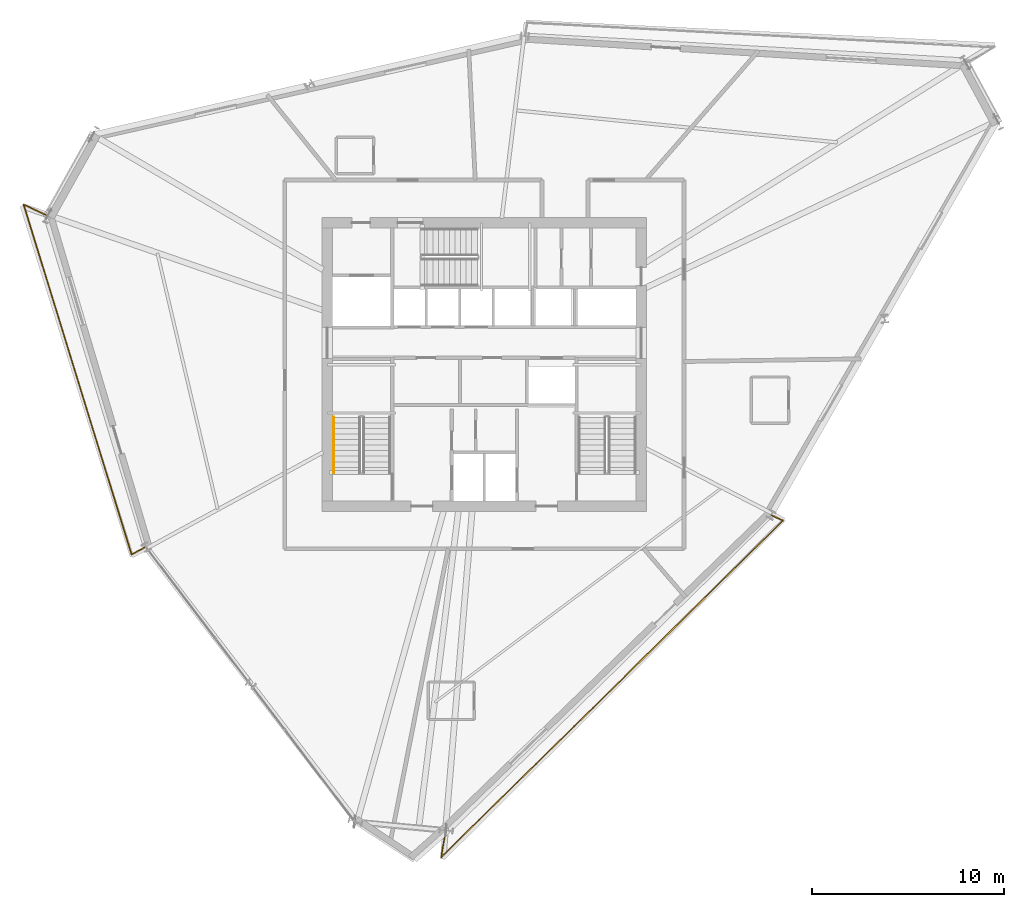
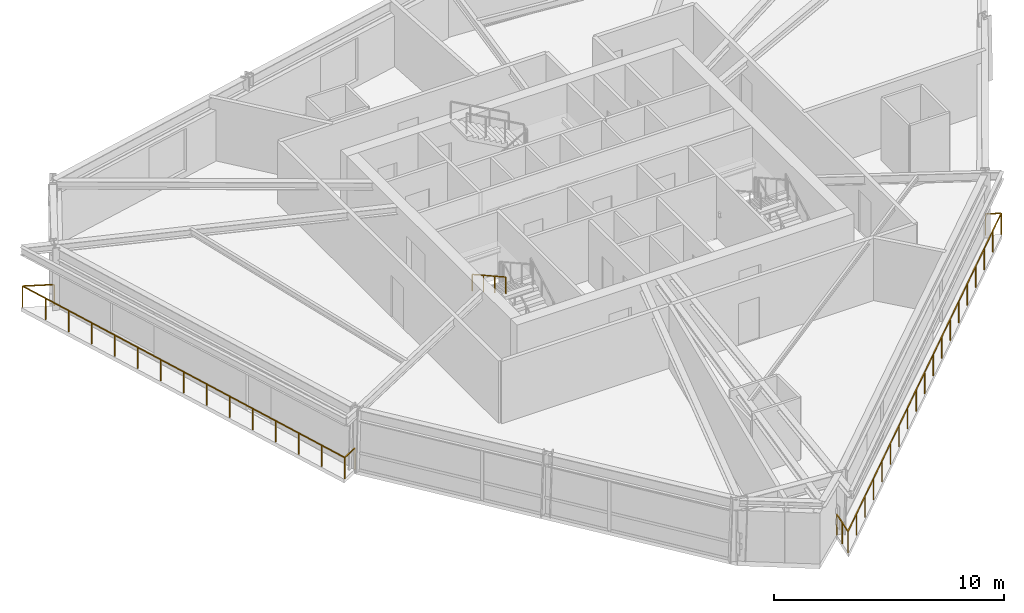
# One storey, part 12 of 14: 3 railings.
"""IFC4 building model written with IfcOpenShell, lengths in metres."""

from ifc_helpers import new_model, si_unit, direction, frame, origin, origin_2d, place, context, subcontext, project, spatial, rectangle, extrude, material, type_object, element, save


model = new_model("IFC4")

# Units and contexts
model_context = context("Model", 3, precision=1e-05, world=origin(), true_north=direction((0.0, 1.0)))
body_context = subcontext(model_context, "Body", "Model", "MODEL_VIEW")
ifc_project = project(units=[si_unit("LENGTHUNIT", "METRE"), si_unit("AREAUNIT", "SQUARE_METRE"), si_unit("VOLUMEUNIT", "CUBIC_METRE"), si_unit("PLANEANGLEUNIT", "RADIAN"), si_unit("MASSUNIT", "GRAM", prefix="KILO")], contexts=[model_context])

# Site, building, storey
site_placement = place(None, origin())
site = spatial("IfcSite", under=ifc_project, at=site_placement, CompositionType="ELEMENT")
building_placement = place(site_placement, origin())
building = spatial("IfcBuilding", under=site, at=building_placement, Name="Olszyna Solenne Hotel", CompositionType="ELEMENT")
storey_placement = place(building_placement, frame((0.0, 0.0, 153.699951171875)))
storey = spatial("IfcBuildingStorey", under=building, at=storey_placement, Name="L40", CompositionType="ELEMENT", Elevation=153.699951171875)

# Railings
ifc_material_1 = material(Name="Anodised bronze aluminium", Category="aluminium")
railing_type_1 = type_object("IfcRailingType", Name="GR-110", PredefinedType="BALUSTRADE", material=ifc_material_1)
railing_1_placement = place(storey_placement, frame((15.24853515625, 34.34521484375, 0.0)))
element("IfcRailing", 1, at=railing_1_placement, inside=storey, type_object=railing_type_1, Name="Loggia balcony balustrade guard GR-L40-LG2", PredefinedType="BALUSTRADE", context=body_context, shape_type="SweptSolid", body=[
    extrude(rectangle(XDim=0.048095703125, YDim=0.048095703125, at=origin_2d()), frame((0.0, 0.0, 1.1259765625), z_axis=(-0.904187883237, 0.427134957371, 0.0), x_axis=(-0.427134957371, -0.904187883237, 0.0)), (0.0, 0.0, 1.0), 1.379150390625),
    extrude(rectangle(XDim=0.048095703125, YDim=0.048095703125, at=origin_2d()), frame((-1.2470703125, 0.589111328125, 1.1259765625), z_axis=(0.294639643259, -0.955608434779, 0.0), x_axis=(0.955608434779, 0.294639643259, 0.0)), (0.0, 0.0, 1.0), 19.0810546875),
    extrude(rectangle(XDim=0.048095703125, YDim=0.048095703125, at=origin_2d()), frame((4.375, -17.64501953125, 1.1259765625), z_axis=(0.87823726809, 0.478225157156, 0.0), x_axis=(-0.478225157156, 0.87823726809, 0.0)), (0.0, 0.0, 1.0), 0.845947265625),
    extrude(rectangle(XDim=0.0419921875, YDim=0.0419921875, at=origin_2d()), origin(), (0.0, 0.0, 1.0), 1.101806640625),
    extrude(rectangle(XDim=0.0419921875, YDim=0.0419921875, at=origin_2d()), frame((-1.2470703125, 0.589111328125, 0.0)), (0.0, 0.0, 1.0), 1.101806640625),
    extrude(rectangle(XDim=0.0419921875, YDim=0.0419921875, at=origin_2d()), frame((-0.845458984375, -0.71337890625, 0.0)), (0.0, 0.0, 1.0), 1.101806640625),
    extrude(rectangle(XDim=0.0419921875, YDim=0.0419921875, at=origin_2d()), frame((-0.44384765625, -2.015869140625, 0.0)), (0.0, 0.0, 1.0), 1.101806640625),
    extrude(rectangle(XDim=0.0419921875, YDim=0.0419921875, at=origin_2d()), frame((-0.042236328125, -3.318115234375, 0.0)), (0.0, 0.0, 1.0), 1.101806640625),
    extrude(rectangle(XDim=0.0419921875, YDim=0.0419921875, at=origin_2d()), frame((0.359130859375, -4.62060546875, 0.0)), (0.0, 0.0, 1.0), 1.101806640625),
    extrude(rectangle(XDim=0.0419921875, YDim=0.0419921875, at=origin_2d()), frame((0.7607421875, -5.923095703125, 0.0)), (0.0, 0.0, 1.0), 1.101806640625),
    extrude(rectangle(XDim=0.0419921875, YDim=0.0419921875, at=origin_2d()), frame((1.162353515625, -7.2255859375, 0.0)), (0.0, 0.0, 1.0), 1.101806640625),
    extrude(rectangle(XDim=0.0419921875, YDim=0.0419921875, at=origin_2d()), frame((1.56396484375, -8.52783203125, 0.0)), (0.0, 0.0, 1.0), 1.101806640625),
    extrude(rectangle(XDim=0.0419921875, YDim=0.0419921875, at=origin_2d()), frame((1.965576171875, -9.830322265625, 0.0)), (0.0, 0.0, 1.0), 1.101806640625),
    extrude(rectangle(XDim=0.0419921875, YDim=0.0419921875, at=origin_2d()), frame((2.3671875, -11.1328125, 0.0)), (0.0, 0.0, 1.0), 1.101806640625),
    extrude(rectangle(XDim=0.0419921875, YDim=0.0419921875, at=origin_2d()), frame((2.768798828125, -12.435302734375, 0.0)), (0.0, 0.0, 1.0), 1.101806640625),
    extrude(rectangle(XDim=0.0419921875, YDim=0.0419921875, at=origin_2d()), frame((3.170166015625, -13.73779296875, 0.0)), (0.0, 0.0, 1.0), 1.101806640625),
    extrude(rectangle(XDim=0.0419921875, YDim=0.0419921875, at=origin_2d()), frame((3.57177734375, -15.0400390625, 0.0)), (0.0, 0.0, 1.0), 1.101806640625),
    extrude(rectangle(XDim=0.0419921875, YDim=0.0419921875, at=origin_2d()), frame((3.973388671875, -16.342529296875, 0.0)), (0.0, 0.0, 1.0), 1.101806640625),
    extrude(rectangle(XDim=0.0419921875, YDim=0.0419921875, at=origin_2d()), frame((4.375, -17.64501953125, 0.0)), (0.0, 0.0, 1.0), 1.101806640625),
    extrude(rectangle(XDim=0.0419921875, YDim=0.0419921875, at=origin_2d()), frame((5.117919921875, -17.240478515625, 0.0)), (0.0, 0.0, 1.0), 1.101806640625),
])
railing_2_placement = place(storey_placement, frame((35.986083984375, 2.33349609375, 0.0)))
element("IfcRailing", 2, at=railing_2_placement, inside=storey, type_object=railing_type_1, Name="Loggia balcony balustrade guard GR-L40-LG3", PredefinedType="BALUSTRADE", context=body_context, shape_type="SweptSolid", body=[
    extrude(rectangle(XDim=0.048095703125, YDim=0.048095703125, at=origin_2d()), frame((0.0, 0.0, 1.1259765625), z_axis=(-0.168333175036, -0.98573015688, 0.0), x_axis=(0.98573015688, -0.168333175036, 0.0)), (0.0, 0.0, 1.0), 1.41845703125),
    extrude(rectangle(XDim=0.048095703125, YDim=0.048095703125, at=origin_2d()), frame((-0.23876953125, -1.398193359375, 1.1259765625), z_axis=(0.712552540277, 0.701618754983, 0.0), x_axis=(-0.701618754983, 0.712552540277, 0.0)), (0.0, 0.0, 1.0), 24.986083984375),
    extrude(rectangle(XDim=0.048095703125, YDim=0.048095703125, at=origin_2d()), frame((17.565185546875, 16.132568359375, 1.1259765625), z_axis=(-0.904256241472, 0.426990222089, 0.0), x_axis=(-0.426990222089, -0.904256241472, 0.0)), (0.0, 0.0, 1.0), 0.689453125),
    extrude(rectangle(XDim=0.0419921875, YDim=0.0419921875, at=origin_2d()), origin(), (0.0, 0.0, 1.0), 1.101806640625),
    extrude(rectangle(XDim=0.0419921875, YDim=0.0419921875, at=origin_2d()), frame((-0.119384765625, -0.69921875, 0.0)), (0.0, 0.0, 1.0), 1.101806640625),
    extrude(rectangle(XDim=0.0419921875, YDim=0.0419921875, at=origin_2d()), frame((-0.23876953125, -1.398193359375, 0.0)), (0.0, 0.0, 1.0), 1.101806640625),
    extrude(rectangle(XDim=0.0419921875, YDim=0.0419921875, at=origin_2d()), frame((0.750244140625, -0.42431640625, 0.0)), (0.0, 0.0, 1.0), 1.101806640625),
    extrude(rectangle(XDim=0.0419921875, YDim=0.0419921875, at=origin_2d()), frame((1.739501953125, 0.549560546875, 0.0)), (0.0, 0.0, 1.0), 1.101806640625),
    extrude(rectangle(XDim=0.0419921875, YDim=0.0419921875, at=origin_2d()), frame((2.728515625, 1.523681640625, 0.0)), (0.0, 0.0, 1.0), 1.101806640625),
    extrude(rectangle(XDim=0.0419921875, YDim=0.0419921875, at=origin_2d()), frame((3.7177734375, 2.49755859375, 0.0)), (0.0, 0.0, 1.0), 1.101806640625),
    extrude(rectangle(XDim=0.0419921875, YDim=0.0419921875, at=origin_2d()), frame((4.706787109375, 3.471435546875, 0.0)), (0.0, 0.0, 1.0), 1.101806640625),
    extrude(rectangle(XDim=0.0419921875, YDim=0.0419921875, at=origin_2d()), frame((5.69580078125, 4.4453125, 0.0)), (0.0, 0.0, 1.0), 1.101806640625),
    extrude(rectangle(XDim=0.0419921875, YDim=0.0419921875, at=origin_2d()), frame((6.68505859375, 5.41943359375, 0.0)), (0.0, 0.0, 1.0), 1.101806640625),
    extrude(rectangle(XDim=0.0419921875, YDim=0.0419921875, at=origin_2d()), frame((7.674072265625, 6.393310546875, 0.0)), (0.0, 0.0, 1.0), 1.101806640625),
    extrude(rectangle(XDim=0.0419921875, YDim=0.0419921875, at=origin_2d()), frame((8.6630859375, 7.3671875, 0.0)), (0.0, 0.0, 1.0), 1.101806640625),
    extrude(rectangle(XDim=0.0419921875, YDim=0.0419921875, at=origin_2d()), frame((9.65234375, 8.341064453125, 0.0)), (0.0, 0.0, 1.0), 1.101806640625),
    extrude(rectangle(XDim=0.0419921875, YDim=0.0419921875, at=origin_2d()), frame((10.641357421875, 9.31494140625, 0.0)), (0.0, 0.0, 1.0), 1.101806640625),
    extrude(rectangle(XDim=0.0419921875, YDim=0.0419921875, at=origin_2d()), frame((11.630615234375, 10.2890625, 0.0)), (0.0, 0.0, 1.0), 1.101806640625),
    extrude(rectangle(XDim=0.0419921875, YDim=0.0419921875, at=origin_2d()), frame((12.61962890625, 11.262939453125, 0.0)), (0.0, 0.0, 1.0), 1.101806640625),
    extrude(rectangle(XDim=0.0419921875, YDim=0.0419921875, at=origin_2d()), frame((13.608642578125, 12.23681640625, 0.0)), (0.0, 0.0, 1.0), 1.101806640625),
    extrude(rectangle(XDim=0.0419921875, YDim=0.0419921875, at=origin_2d()), frame((14.597900390625, 13.210693359375, 0.0)), (0.0, 0.0, 1.0), 1.101806640625),
    extrude(rectangle(XDim=0.0419921875, YDim=0.0419921875, at=origin_2d()), frame((15.5869140625, 14.184814453125, 0.0)), (0.0, 0.0, 1.0), 1.101806640625),
    extrude(rectangle(XDim=0.0419921875, YDim=0.0419921875, at=origin_2d()), frame((16.576171875, 15.15869140625, 0.0)), (0.0, 0.0, 1.0), 1.101806640625),
    extrude(rectangle(XDim=0.0419921875, YDim=0.0419921875, at=origin_2d()), frame((17.565185546875, 16.132568359375, 0.0)), (0.0, 0.0, 1.0), 1.101806640625),
    extrude(rectangle(XDim=0.0419921875, YDim=0.0419921875, at=origin_2d()), frame((16.941650390625, 16.427001953125, 0.0)), (0.0, 0.0, 1.0), 1.101806640625),
])
ifc_material_2 = material(Name="Steel S355J2", Category="steel")
railing_type_2 = type_object("IfcRailingType", Name="HR-090", PredefinedType="HANDRAIL", material=ifc_material_2)
railing_3_placement = place(storey_placement, frame((30.14990234375, 23.85009765625, 1.9365234375)))
element("IfcRailing", 3, at=railing_3_placement, inside=storey, type_object=railing_type_2, Name="L40 ST1 stair handrail 2", PredefinedType="HANDRAIL", context=body_context, shape_type="SweptSolid", body=[
    extrude(rectangle(XDim=0.048095703125, YDim=0.048095703125, at=origin_2d()), frame((0.0, 0.0, 0.8759765625), z_axis=(0.0, -0.873858693841, 0.486179990537), x_axis=(1.0, 0.0, 0.0)), (0.0, 0.0, 1.0), 3.31884765625),
    extrude(rectangle(XDim=0.0419921875, YDim=0.0419921875, at=origin_2d()), origin(), (0.0, 0.0, 1.0), 0.851806640625),
    extrude(rectangle(XDim=0.0419921875, YDim=0.0419921875, at=origin_2d()), frame((0.0, -0.966796875, 0.537841796875)), (0.0, 0.0, 1.0), 0.851806640625),
    extrude(rectangle(XDim=0.0419921875, YDim=0.0419921875, at=origin_2d()), frame((0.0, -1.933349609375, 1.07568359375)), (0.0, 0.0, 1.0), 0.851806640625),
    extrude(rectangle(XDim=0.0419921875, YDim=0.0419921875, at=origin_2d()), frame((0.0, -2.900146484375, 1.613525390625)), (0.0, 0.0, 1.0), 0.851806640625),
])

save(model, "model.ifc")
